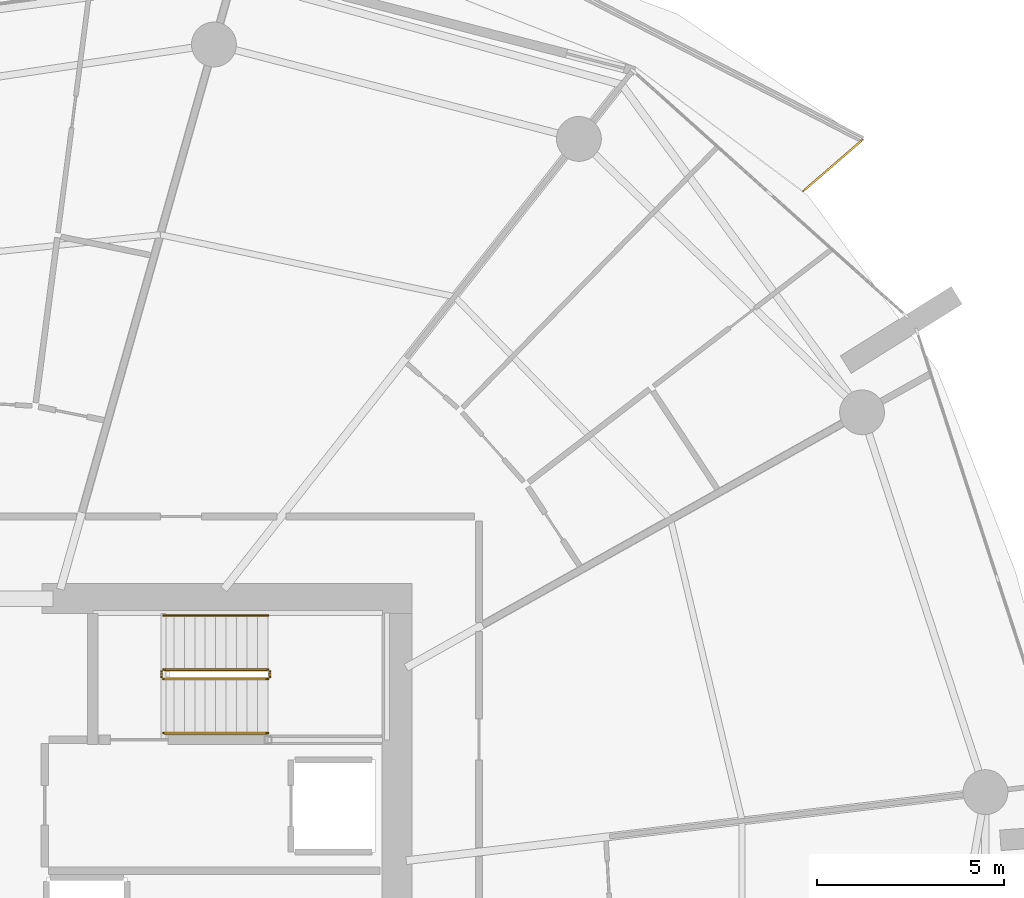
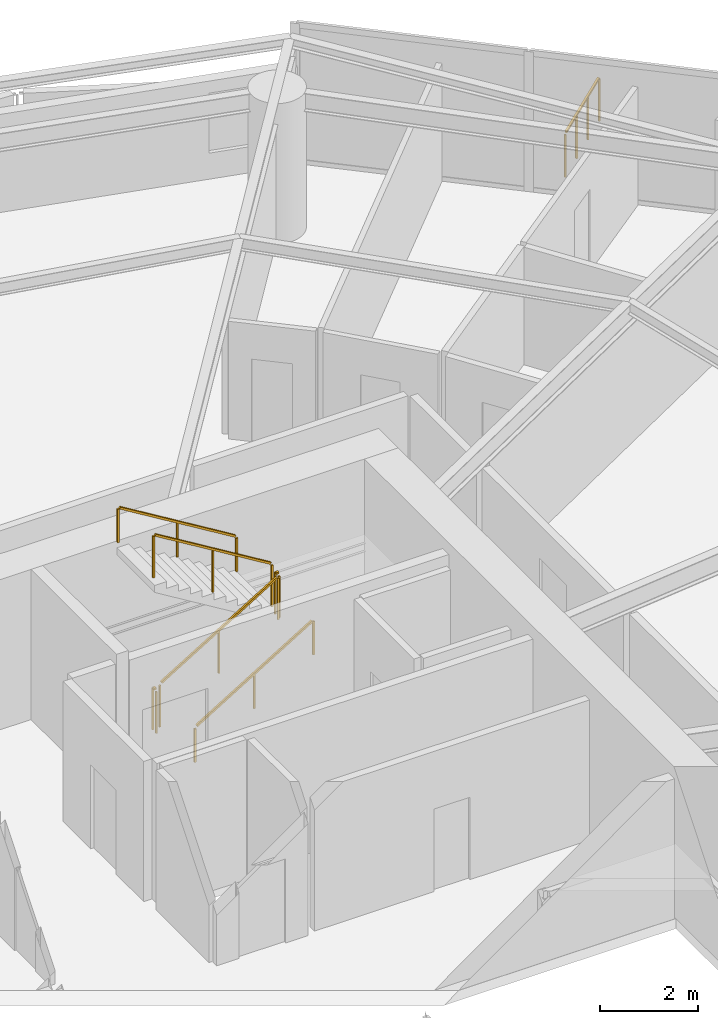
# One storey, part 22 of 23: 7 railings.
"""IFC4 building model written with IfcOpenShell, lengths in metres."""

from ifc_helpers import new_model, si_unit, direction, frame, origin, origin_2d, place, context, subcontext, project, spatial, rectangle, extrude, material, type_object, element, save


model = new_model("IFC4")

# Units and contexts
model_context = context("Model", 3, precision=1e-05, world=origin(), true_north=direction((0.0, 1.0)))
body_context = subcontext(model_context, "Body", "Model", "MODEL_VIEW")
ifc_project = project(units=[si_unit("LENGTHUNIT", "METRE"), si_unit("AREAUNIT", "SQUARE_METRE"), si_unit("VOLUMEUNIT", "CUBIC_METRE"), si_unit("PLANEANGLEUNIT", "RADIAN"), si_unit("MASSUNIT", "GRAM", prefix="KILO")], contexts=[model_context])

# Site, building, storey
site_placement = place(None, origin())
site = spatial("IfcSite", under=ifc_project, at=site_placement, CompositionType="ELEMENT")
building_placement = place(site_placement, origin())
building = spatial("IfcBuilding", under=site, at=building_placement, Name="Kazma Halo Residences", CompositionType="ELEMENT")
storey_placement = place(building_placement, frame((0.0, 0.0, 82.64990234375)))
storey = spatial("IfcBuildingStorey", under=building, at=storey_placement, Name="L20", CompositionType="ELEMENT", Elevation=82.64990234375)

# Railings
ifc_material_1 = material(Name="Aluminium AW-6063 T6 Brushed Cap Rail", Category="aluminium")
railing_type_1 = type_object("IfcRailingType", Name="RLG-BAL-CAP-1120", PredefinedType="BALUSTRADE", material=ifc_material_1)
railing_1_placement = place(storey_placement, frame((70.323974609375, 61.303466796875, 0.0)))
element("IfcRailing", 1, at=railing_1_placement, inside=storey, type_object=railing_type_1, Name="L20 NE wave balcony guard 1", PredefinedType="BALUSTRADE", context=body_context, shape_type="SweptSolid", body=[
    extrude(rectangle(XDim=0.050048828125, YDim=0.050048828125, at=origin_2d()), frame((0.0322265625, 0.02783203125, 1.09521484375), z_axis=(0.756383280666, 0.654128682087, 0.0), x_axis=(-0.654128682087, 0.756383280666, 0.0)), (0.0, 0.0, 1.0), 2.025634765625),
    extrude(rectangle(XDim=0.0400390625, YDim=0.0400390625, at=origin_2d()), origin(), (0.0, 0.0, 1.0), 1.05810546875),
    extrude(rectangle(XDim=0.0400390625, YDim=0.0400390625, at=origin_2d()), frame((0.5322265625, 0.460205078125, 0.0)), (0.0, 0.0, 1.0), 1.05810546875),
    extrude(rectangle(XDim=0.0400390625, YDim=0.0400390625, at=origin_2d()), frame((1.064208984375, 0.92041015625, 0.0)), (0.0, 0.0, 1.0), 1.05810546875),
    extrude(rectangle(XDim=0.0400390625, YDim=0.0400390625, at=origin_2d()), frame((1.596435546875, 1.380615234375, 0.0)), (0.0, 0.0, 1.0), 1.05810546875),
])
ifc_material_2 = material(Name="Painted Steel S355", Category="steel")
railing_type_2 = type_object("IfcRailingType", Name="RLG-STAIR-GRD-1100", PredefinedType="GUARDRAIL", material=ifc_material_2)
railing_2_placement = place(storey_placement, frame((53.199951171875, 48.25, 0.170654296875)))
element("IfcRailing", 2, at=railing_2_placement, inside=storey, type_object=railing_type_2, Name="L20 ST-02 stair guard 1", PredefinedType="GUARDRAIL", context=body_context, shape_type="SweptSolid", body=[
    extrude(rectangle(XDim=0.050048828125, YDim=0.050048828125, at=origin_2d()), frame((0.036376953125, 0.0, 1.09716796875), z_axis=(0.854202870247, 0.0, 0.519939858505), x_axis=(0.0, 1.0, 0.0)), (0.0, 0.0, 1.0), 3.19287109375),
    extrude(rectangle(XDim=0.0400390625, YDim=0.0400390625, at=origin_2d()), origin(), (0.0, 0.0, 1.0), 1.0380859375),
    extrude(rectangle(XDim=0.0400390625, YDim=0.0400390625, at=origin_2d()), frame((1.39990234375, 0.0, 0.85205078125)), (0.0, 0.0, 1.0), 1.0380859375),
    extrude(rectangle(XDim=0.0400390625, YDim=0.0400390625, at=origin_2d()), frame((2.800048828125, 0.0, 1.704345703125)), (0.0, 0.0, 1.0), 1.0380859375),
])
railing_3_placement = place(storey_placement, frame((56.050048828125, 48.300048828125, 1.875)))
element("IfcRailing", 3, at=railing_3_placement, inside=storey, type_object=railing_type_2, Name="L20 ST-02 stair guard 2", PredefinedType="GUARDRAIL", context=body_context, shape_type="SweptSolid", body=[
    extrude(rectangle(XDim=0.050048828125, YDim=0.050048828125, at=origin_2d()), frame((0.0, 0.04248046875, 1.0751953125), z_axis=(0.0, 1.0, 0.0), x_axis=(-1.0, 0.0, 0.0)), (0.0, 0.0, 1.0), 0.06494140625),
    extrude(rectangle(XDim=0.0400390625, YDim=0.0400390625, at=origin_2d()), origin(), (0.0, 0.0, 1.0), 1.0380859375),
    extrude(rectangle(XDim=0.0400390625, YDim=0.0400390625, at=origin_2d()), frame((0.0, 0.14990234375, 0.0)), (0.0, 0.0, 1.0), 1.0380859375),
])
railing_4_placement = place(storey_placement, frame((56.0, 48.5, 2.045654296875)))
element("IfcRailing", 4, at=railing_4_placement, inside=storey, type_object=railing_type_2, Name="L20 ST-02 stair guard 3", PredefinedType="GUARDRAIL", context=body_context, shape_type="SweptSolid", body=[
    extrude(rectangle(XDim=0.050048828125, YDim=0.050048828125, at=origin_2d()), frame((-0.036376953125, 0.0, 1.09716796875), z_axis=(-0.854202870247, 0.0, 0.519939858505), x_axis=(0.0, -1.0, 0.0)), (0.0, 0.0, 1.0), 3.19287109375),
    extrude(rectangle(XDim=0.0400390625, YDim=0.0400390625, at=origin_2d()), origin(), (0.0, 0.0, 1.0), 1.0380859375),
    extrude(rectangle(XDim=0.0400390625, YDim=0.0400390625, at=origin_2d()), frame((-1.39990234375, 0.0, 0.85205078125)), (0.0, 0.0, 1.0), 1.0380859375),
    extrude(rectangle(XDim=0.0400390625, YDim=0.0400390625, at=origin_2d()), frame((-2.800048828125, 0.0, 1.704345703125)), (0.0, 0.0, 1.0), 1.0380859375),
])
railing_5_placement = place(storey_placement, frame((53.14990234375, 48.300048828125, 0.0)))
element("IfcRailing", 5, at=railing_5_placement, inside=storey, type_object=railing_type_2, Name="L20 ST-02 stair guard 4", PredefinedType="GUARDRAIL", context=body_context, shape_type="SweptSolid", body=[
    extrude(rectangle(XDim=0.050048828125, YDim=0.050048828125, at=origin_2d()), frame((0.0, 0.04248046875, 1.0751953125), z_axis=(0.0, 1.0, 0.0), x_axis=(-1.0, 0.0, 0.0)), (0.0, 0.0, 1.0), 0.06494140625),
    extrude(rectangle(XDim=0.0400390625, YDim=0.0400390625, at=origin_2d()), origin(), (0.0, 0.0, 1.0), 1.0380859375),
    extrude(rectangle(XDim=0.0400390625, YDim=0.0400390625, at=origin_2d()), frame((0.0, 0.14990234375, 0.0)), (0.0, 0.0, 1.0), 1.0380859375),
])
ifc_material_3 = material(Name="Brushed Stainless Steel", Category="steel")
railing_type_3 = type_object("IfcRailingType", Name="RLG-STAIR-HND-900", PredefinedType="HANDRAIL", material=ifc_material_3)
railing_6_placement = place(storey_placement, frame((53.199951171875, 46.800048828125, 0.170654296875)))
element("IfcRailing", 6, at=railing_6_placement, inside=storey, type_object=railing_type_3, Name="L20 ST-02 stair handrail 1", PredefinedType="HANDRAIL", context=body_context, shape_type="SweptSolid", body=[
    extrude(rectangle(XDim=0.050048828125, YDim=0.050048828125, at=origin_2d()), frame((0.036376953125, 0.0, 0.89697265625), z_axis=(0.854202870247, 0.0, 0.519939858505), x_axis=(0.0, 1.0, 0.0)), (0.0, 0.0, 1.0), 3.19287109375),
    extrude(rectangle(XDim=0.0400390625, YDim=0.0400390625, at=origin_2d()), origin(), (0.0, 0.0, 1.0), 0.837890625),
    extrude(rectangle(XDim=0.0400390625, YDim=0.0400390625, at=origin_2d()), frame((1.39990234375, 0.0, 0.85205078125)), (0.0, 0.0, 1.0), 0.837890625),
    extrude(rectangle(XDim=0.0400390625, YDim=0.0400390625, at=origin_2d()), frame((2.800048828125, 0.0, 1.704345703125)), (0.0, 0.0, 1.0), 0.837890625),
])
railing_7_placement = place(storey_placement, frame((56.0, 49.949951171875, 2.045654296875)))
element("IfcRailing", 7, at=railing_7_placement, inside=storey, type_object=railing_type_3, Name="L20 ST-02 stair handrail 2", PredefinedType="HANDRAIL", context=body_context, shape_type="SweptSolid", body=[
    extrude(rectangle(XDim=0.050048828125, YDim=0.050048828125, at=origin_2d()), frame((-0.036376953125, 0.0, 0.89697265625), z_axis=(-0.854202870247, 0.0, 0.519939858505), x_axis=(0.0, -1.0, 0.0)), (0.0, 0.0, 1.0), 3.19287109375),
    extrude(rectangle(XDim=0.0400390625, YDim=0.0400390625, at=origin_2d()), origin(), (0.0, 0.0, 1.0), 0.837890625),
    extrude(rectangle(XDim=0.0400390625, YDim=0.0400390625, at=origin_2d()), frame((-1.39990234375, 0.0, 0.85205078125)), (0.0, 0.0, 1.0), 0.837890625),
    extrude(rectangle(XDim=0.0400390625, YDim=0.0400390625, at=origin_2d()), frame((-2.800048828125, 0.0, 1.704345703125)), (0.0, 0.0, 1.0), 0.837890625),
])

save(model, "model.ifc")
